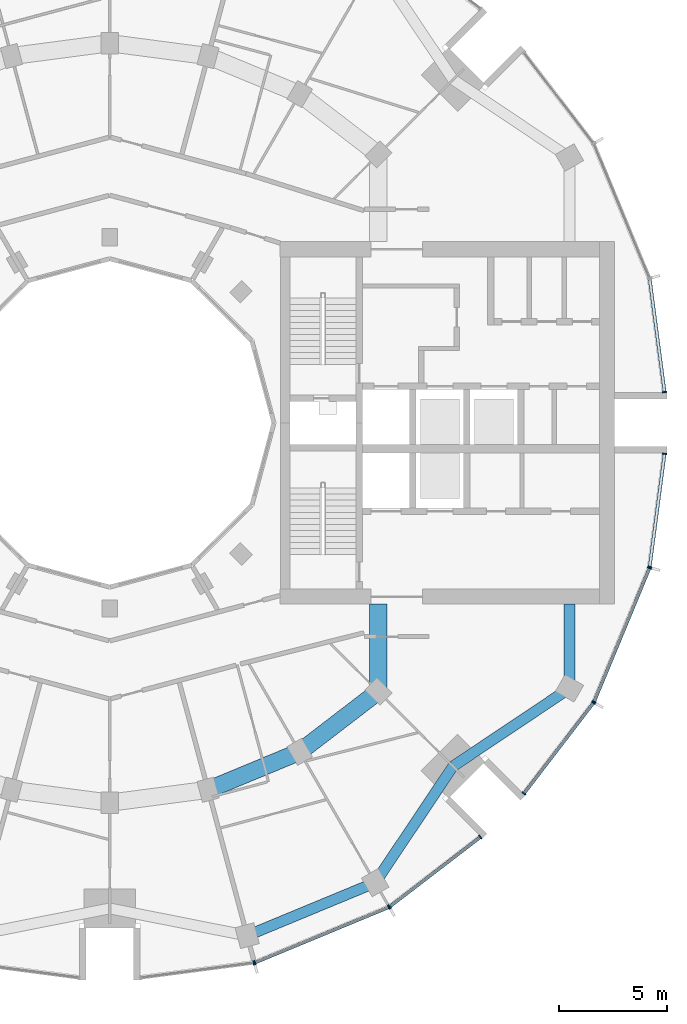
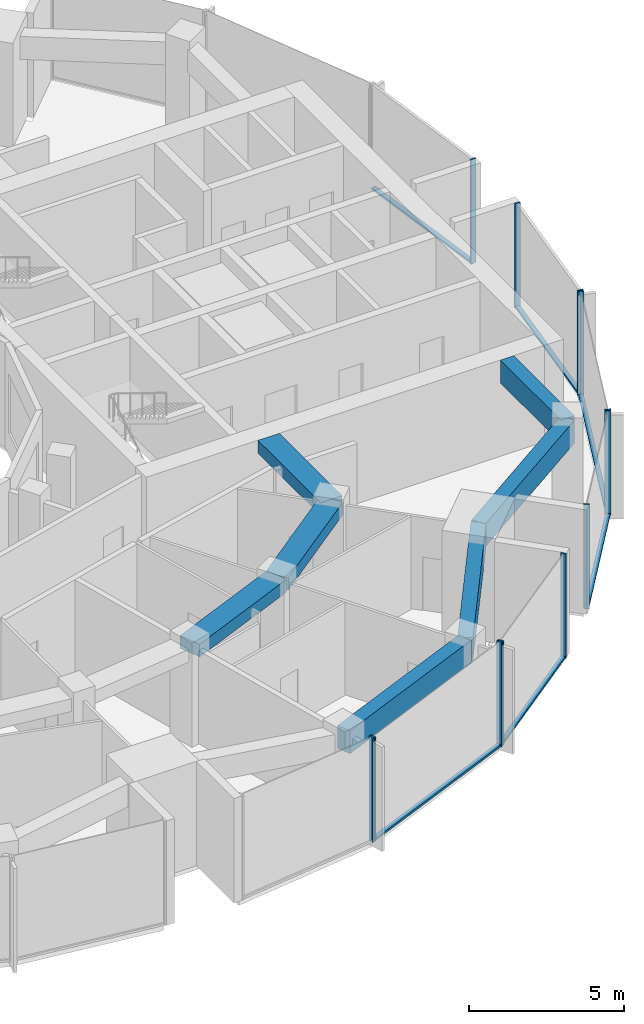
# One storey, part 4 of 15: 18 members, 7 beams, 7 elements without a shape of their own.
"""IFC4 building model written with IfcOpenShell, lengths in metres."""

from ifc_helpers import new_model, si_unit, direction, frame, origin, origin_2d, place, context, subcontext, project, spatial, rectangle, extrude, material, layer, layer_set, material_profile, profile_set, type_object, element, aggregate, save


model = new_model("IFC4")

# Units and contexts
model_context = context("Model", 3, precision=1e-05, world=origin(), true_north=direction((0.0, 1.0)))
body_context = subcontext(model_context, "Body", "Model", "MODEL_VIEW")
ifc_project = project(units=[si_unit("LENGTHUNIT", "METRE"), si_unit("AREAUNIT", "SQUARE_METRE"), si_unit("VOLUMEUNIT", "CUBIC_METRE"), si_unit("PLANEANGLEUNIT", "RADIAN"), si_unit("MASSUNIT", "GRAM", prefix="KILO")], contexts=[model_context])

# Site, building, storey
site_placement = place(None, origin())
site = spatial("IfcSite", under=ifc_project, at=site_placement, CompositionType="ELEMENT")
building_placement = place(site_placement, origin())
building = spatial("IfcBuilding", under=site, at=building_placement, Name="Torre Brocal", CompositionType="ELEMENT")
storey_placement = place(building_placement, frame((0.0, 0.0, 170.0)))
storey = spatial("IfcBuildingStorey", under=building, at=storey_placement, Name="L39", CompositionType="ELEMENT", Elevation=170.0)

# Curtain wall, member
ifc_material_1 = material(Name="Aluminium and glass", Category="aluminium")
ifc_layer_1 = layer(ifc_material_1, 0.199951171875)
ifc_layer_set_1 = layer_set([ifc_layer_1], Name="Aluminium and glass")
curtain_wall_type_1 = type_object("IfcCurtainWallType", Name="CW-1 CURTAIN WALL 4100 HIGH", PredefinedType="NOTDEFINED", material=ifc_layer_set_1)
curtain_wall_1_placement = place(storey_placement, origin())
curtain_wall_1 = element("IfcCurtainWall", 1, at=curtain_wall_1_placement, inside=storey, type_object=curtain_wall_type_1, Name="CW-1 RUN 19", PredefinedType="NOTDEFINED")
ifc_material_2 = material(Name="Aluminium, dark anodised", Category="aluminium")
ifc_material_profile_1 = material_profile(ifc_material_2, rectangle(XDim=0.199951171875, YDim=0.06005859375, at=origin_2d()), Name="CW-1 MULLION 60X200")
ifc_profile_set_1 = profile_set([ifc_material_profile_1], Name="Aluminium, dark anodised")
member_type_1 = type_object("IfcMemberType", Name="CW-1 MULLION 60X200", PredefinedType="MULLION", material=ifc_profile_set_1)
member_1_placement = place(storey_placement, frame((86.67333984375, 49.9794921875, 0.0), z_axis=(0.0, 0.0, 1.0), x_axis=(-0.13052619222, 0.991444861374, 0.0)))
member_1 = element("IfcMember", 2, at=member_1_placement, type_object=member_type_1, Name="CW1-4 mullion 2", PredefinedType="MULLION", context=body_context, shape_type="SweptSolid", body=[
    extrude(rectangle(XDim=0.199951171875, YDim=0.06005859375, at=origin_2d()), origin(), (0.0, 0.0, 1.0), 4.10009765625),
])
aggregate(curtain_wall_1, [member_1])

# Curtain wall, members
curtain_wall_2_placement = place(storey_placement, origin())
curtain_wall_2 = element("IfcCurtainWall", 3, at=curtain_wall_2_placement, inside=storey, type_object=curtain_wall_type_1, Name="CW-1 RUN 20", PredefinedType="NOTDEFINED")
member_2_placement = place(storey_placement, frame((86.73095703125, 49.994873046875, 0.0), z_axis=(0.0, 0.0, 1.0), x_axis=(-0.382683432333, 0.923879532525, 0.0)))
member_2 = element("IfcMember", 4, at=member_2_placement, type_object=member_type_1, Name="CW1-4 mullion 1", PredefinedType="MULLION", context=body_context, shape_type="SweptSolid", body=[
    extrude(rectangle(XDim=0.199951171875, YDim=0.06005859375, at=origin_2d()), origin(), (0.0, 0.0, 1.0), 4.10009765625),
])
member_3_placement = place(storey_placement, frame((92.921875, 52.559326171875, 0.0), z_axis=(0.0, 0.0, 1.0), x_axis=(-0.382683432333, 0.923879532525, 0.0)))
member_3 = element("IfcMember", 5, at=member_3_placement, type_object=member_type_1, Name="CW1-4 mullion 2", PredefinedType="MULLION", context=body_context, shape_type="SweptSolid", body=[
    extrude(rectangle(XDim=0.199951171875, YDim=0.06005859375, at=origin_2d()), origin(), (0.0, 0.0, 1.0), 4.10009765625),
])

curtain_wall_3_placement = place(storey_placement, origin())
curtain_wall_3 = element("IfcCurtainWall", 6, at=curtain_wall_3_placement, inside=storey, type_object=curtain_wall_type_1, Name="CW-1 RUN 21", PredefinedType="NOTDEFINED")
member_4_placement = place(storey_placement, frame((92.973388671875, 52.5888671875, 0.0), z_axis=(0.0, 0.0, 1.0), x_axis=(-0.60876142905, 0.793353340259, 0.0)))
member_4 = element("IfcMember", 7, at=member_4_placement, type_object=member_type_1, Name="CW1-4 mullion 1", PredefinedType="MULLION", context=body_context, shape_type="SweptSolid", body=[
    extrude(rectangle(XDim=0.199951171875, YDim=0.06005859375, at=origin_2d()), origin(), (0.0, 0.0, 1.0), 4.10009765625),
])
member_5_placement = place(storey_placement, frame((97.16943359375, 55.80859375, 0.0), z_axis=(0.0, 0.0, 1.0), x_axis=(-0.60876142905, 0.793353340259, 0.0)))
member_5 = element("IfcMember", 8, at=member_5_placement, type_object=member_type_1, Name="CW1-4 mullion 2", PredefinedType="MULLION", context=body_context, shape_type="SweptSolid", body=[
    extrude(rectangle(XDim=0.199951171875, YDim=0.06005859375, at=origin_2d()), origin(), (0.0, 0.0, 1.0), 4.10009765625),
])

curtain_wall_4_placement = place(storey_placement, origin())
curtain_wall_4 = element("IfcCurtainWall", 9, at=curtain_wall_4_placement, inside=storey, type_object=curtain_wall_type_1, Name="CW-1 RUN 22", PredefinedType="NOTDEFINED")
member_6_placement = place(storey_placement, frame((99.19140625, 57.83056640625, 0.0), z_axis=(0.0, 0.0, 1.0), x_axis=(-0.793353340259, 0.60876142905, 0.0)))
member_6 = element("IfcMember", 10, at=member_6_placement, type_object=member_type_1, Name="CW1-4 mullion 1", PredefinedType="MULLION", context=body_context, shape_type="SweptSolid", body=[
    extrude(rectangle(XDim=0.199951171875, YDim=0.06005859375, at=origin_2d()), origin(), (0.0, 0.0, 1.0), 4.10009765625),
])
member_7_placement = place(storey_placement, frame((102.4111328125, 62.026611328125, 0.0), z_axis=(0.0, 0.0, 1.0), x_axis=(-0.793353340259, 0.60876142905, 0.0)))
member_7 = element("IfcMember", 11, at=member_7_placement, type_object=member_type_1, Name="CW1-4 mullion 2", PredefinedType="MULLION", context=body_context, shape_type="SweptSolid", body=[
    extrude(rectangle(XDim=0.199951171875, YDim=0.06005859375, at=origin_2d()), origin(), (0.0, 0.0, 1.0), 4.10009765625),
])

curtain_wall_5_placement = place(storey_placement, origin())
curtain_wall_5 = element("IfcCurtainWall", 12, at=curtain_wall_5_placement, inside=storey, type_object=curtain_wall_type_1, Name="CW-1 RUN 23", PredefinedType="NOTDEFINED")
member_8_placement = place(storey_placement, frame((102.440673828125, 62.078125, 0.0), z_axis=(0.0, 0.0, 1.0), x_axis=(-0.923879532525, 0.382683432333, 0.0)))
member_8 = element("IfcMember", 13, at=member_8_placement, type_object=member_type_1, Name="CW1-4 mullion 1", PredefinedType="MULLION", context=body_context, shape_type="SweptSolid", body=[
    extrude(rectangle(XDim=0.199951171875, YDim=0.06005859375, at=origin_2d()), origin(), (0.0, 0.0, 1.0), 4.10009765625),
])
member_9_placement = place(storey_placement, frame((105.005126953125, 68.26904296875, 0.0), z_axis=(0.0, 0.0, 1.0), x_axis=(-0.923879532525, 0.382683432333, 0.0)))
member_9 = element("IfcMember", 14, at=member_9_placement, type_object=member_type_1, Name="CW1-4 mullion 2", PredefinedType="MULLION", context=body_context, shape_type="SweptSolid", body=[
    extrude(rectangle(XDim=0.199951171875, YDim=0.06005859375, at=origin_2d()), origin(), (0.0, 0.0, 1.0), 4.10009765625),
])

# Member
ifc_material_3 = material(Name="Aluminium, dark anodised", Category="aluminium")
ifc_material_profile_2 = material_profile(ifc_material_3, rectangle(XDim=0.159912109375, YDim=0.080078125, at=origin_2d()), Name="CW-1 TRANSOM 160X80")
ifc_profile_set_2 = profile_set([ifc_material_profile_2], Name="Aluminium, dark anodised")
member_type_2 = type_object("IfcMemberType", Name="CW-1 TRANSOM 160X80", PredefinedType="USERDEFINED", material=ifc_profile_set_2)
member_10_placement = place(storey_placement, frame((86.758544921875, 50.00634765625, 0.0400390625), z_axis=(0.923887344364, 0.38266457234, 0.0), x_axis=(-0.38266457234, 0.923887344364, 0.0)))
member_10 = element("IfcMember", 15, at=member_10_placement, type_object=member_type_2, Name="CW1-4 transom 1.1", ObjectType="TRANSOM", PredefinedType="USERDEFINED", context=body_context, shape_type="SweptSolid", body=[
    extrude(rectangle(XDim=0.159912109375, YDim=0.080078125, at=origin_2d()), origin(), (0.0, 0.0, 1.0), 6.640869140625),
])

aggregate(curtain_wall_2, [member_2, member_3, member_10])

member_11_placement = place(storey_placement, frame((92.9970703125, 52.607177734375, 0.0400390625), z_axis=(0.79336281513, 0.60874908096, 0.0), x_axis=(-0.60874908096, 0.79336281513, 0.0)))
member_11 = element("IfcMember", 16, at=member_11_placement, type_object=member_type_2, Name="CW1-4 transom 1.1", ObjectType="TRANSOM", PredefinedType="USERDEFINED", context=body_context, shape_type="SweptSolid", body=[
    extrude(rectangle(XDim=0.159912109375, YDim=0.080078125, at=origin_2d()), origin(), (0.0, 0.0, 1.0), 5.22900390625),
])

aggregate(curtain_wall_3, [member_4, member_5, member_11])

member_12_placement = place(storey_placement, frame((99.209716796875, 57.8544921875, 0.0400390625), z_axis=(0.60874908096, 0.79336281513, 0.0), x_axis=(-0.79336281513, 0.60874908096, 0.0)))
member_12 = element("IfcMember", 17, at=member_12_placement, type_object=member_type_2, Name="CW1-4 transom 1.1", ObjectType="TRANSOM", PredefinedType="USERDEFINED", context=body_context, shape_type="SweptSolid", body=[
    extrude(rectangle(XDim=0.159912109375, YDim=0.080078125, at=origin_2d()), origin(), (0.0, 0.0, 1.0), 5.22900390625),
])

aggregate(curtain_wall_4, [member_6, member_7, member_12])

member_13_placement = place(storey_placement, frame((102.452392578125, 62.10595703125, 0.0400390625), z_axis=(0.38266457234, 0.923887344364, 0.0), x_axis=(-0.923887344364, 0.38266457234, 0.0)))
member_13 = element("IfcMember", 18, at=member_13_placement, type_object=member_type_2, Name="CW1-4 transom 1.1", ObjectType="TRANSOM", PredefinedType="USERDEFINED", context=body_context, shape_type="SweptSolid", body=[
    extrude(rectangle(XDim=0.159912109375, YDim=0.080078125, at=origin_2d()), origin(), (0.0, 0.0, 1.0), 6.640869140625),
])

aggregate(curtain_wall_5, [member_8, member_9, member_13])

# Curtain wall, member
ifc_material_4 = material(Name="Aluminium and glass", Category="aluminium")
ifc_layer_2 = layer(ifc_material_4, 0.199951171875)
ifc_layer_set_2 = layer_set([ifc_layer_2], Name="Aluminium and glass")
curtain_wall_type_2 = type_object("IfcCurtainWallType", Name="CW-1B CURTAIN WALL 4100 HIGH", PredefinedType="NOTDEFINED", material=ifc_layer_set_2)
curtain_wall_6_placement = place(storey_placement, origin())
curtain_wall_6 = element("IfcCurtainWall", 19, at=curtain_wall_6_placement, inside=storey, type_object=curtain_wall_type_2, Name="CW-1B RUN 1", PredefinedType="NOTDEFINED")
ifc_material_5 = material(Name="Aluminium, dark anodised", Category="aluminium")
ifc_material_profile_3 = material_profile(ifc_material_5, rectangle(XDim=0.199951171875, YDim=0.06005859375, at=origin_2d()), Name="CW-1B MULLION 60X200")
ifc_profile_set_3 = profile_set([ifc_material_profile_3], Name="Aluminium, dark anodised")
member_type_3 = type_object("IfcMemberType", Name="CW-1B MULLION 60X200", PredefinedType="MULLION", material=ifc_profile_set_3)
member_14_placement = place(storey_placement, frame((105.7109375, 76.4296875, 0.0), z_axis=(0.0, 0.0, 1.0), x_axis=(-0.991444861374, -0.13052619222, 0.0)))
member_14 = element("IfcMember", 20, at=member_14_placement, type_object=member_type_3, Name="CW1B-4 mullion 1", PredefinedType="MULLION", context=body_context, shape_type="SweptSolid", body=[
    extrude(rectangle(XDim=0.199951171875, YDim=0.06005859375, at=origin_2d()), origin(), (0.0, 0.0, 1.0), 4.10009765625),
])

# Curtain wall, members
curtain_wall_7_placement = place(storey_placement, origin())
curtain_wall_7 = element("IfcCurtainWall", 21, at=curtain_wall_7_placement, inside=storey, type_object=curtain_wall_type_2, Name="CW-1B RUN 24", PredefinedType="NOTDEFINED")
member_15_placement = place(storey_placement, frame((105.0205078125, 68.32666015625, 0.0), z_axis=(0.0, 0.0, 1.0), x_axis=(-0.991444861374, 0.13052619222, 0.0)))
member_15 = element("IfcMember", 22, at=member_15_placement, type_object=member_type_3, Name="CW1B-4 mullion 1", PredefinedType="MULLION", context=body_context, shape_type="SweptSolid", body=[
    extrude(rectangle(XDim=0.199951171875, YDim=0.06005859375, at=origin_2d()), origin(), (0.0, 0.0, 1.0), 4.10009765625),
])
member_16_placement = place(storey_placement, frame((105.7109375, 73.5703125, 0.0), z_axis=(0.0, 0.0, 1.0), x_axis=(-0.991444861374, 0.13052619222, 0.0)))
member_16 = element("IfcMember", 23, at=member_16_placement, type_object=member_type_3, Name="CW1B-4 mullion 2", PredefinedType="MULLION", context=body_context, shape_type="SweptSolid", body=[
    extrude(rectangle(XDim=0.199951171875, YDim=0.06005859375, at=origin_2d()), origin(), (0.0, 0.0, 1.0), 4.10009765625),
])

# Member
ifc_material_6 = material(Name="Aluminium, dark anodised", Category="aluminium")
ifc_material_profile_4 = material_profile(ifc_material_6, rectangle(XDim=0.159912109375, YDim=0.080078125, at=origin_2d()), Name="CW-1B TRANSOM 160X80")
ifc_profile_set_4 = profile_set([ifc_material_profile_4], Name="Aluminium, dark anodised")
member_type_4 = type_object("IfcMemberType", Name="CW-1B TRANSOM 160X80", PredefinedType="USERDEFINED", material=ifc_profile_set_4)
member_17_placement = place(storey_placement, frame((105.70703125, 76.45947265625, 0.0400390625), z_axis=(-0.130542677827, 0.991442690863, 0.0), x_axis=(-0.991442690863, -0.130542677827, 0.0)))
member_17 = element("IfcMember", 24, at=member_17_placement, type_object=member_type_4, Name="CW1B-4 transom 1.1", ObjectType="TRANSOM", PredefinedType="USERDEFINED", context=body_context, shape_type="SweptSolid", body=[
    extrude(rectangle(XDim=0.159912109375, YDim=0.080078125, at=origin_2d()), origin(), (0.0, 0.0, 1.0), 5.22900390625),
])

aggregate(curtain_wall_6, [member_14, member_17])

member_18_placement = place(storey_placement, frame((105.0244140625, 68.356201171875, 0.0400390625), z_axis=(0.130542677827, 0.991442690863, 0.0), x_axis=(-0.991442690863, 0.130542677827, 0.0)))
member_18 = element("IfcMember", 25, at=member_18_placement, type_object=member_type_4, Name="CW1B-4 transom 1.1", ObjectType="TRANSOM", PredefinedType="USERDEFINED", context=body_context, shape_type="SweptSolid", body=[
    extrude(rectangle(XDim=0.159912109375, YDim=0.080078125, at=origin_2d()), origin(), (0.0, 0.0, 1.0), 5.22900390625),
])

aggregate(curtain_wall_7, [member_15, member_16, member_18])

# Beams
ifc_material_7 = material(Name="Concrete C50", Category="concrete")
ifc_material_profile_5 = material_profile(ifc_material_7, rectangle(XDim=0.800048828125, YDim=0.5, at=origin_2d()), Name="RC 800X500")
ifc_profile_set_5 = profile_set([ifc_material_profile_5], Name="Concrete C50")
beam_type_1 = type_object("IfcBeamType", Name="RC BEAM 800X500 C50 TOP 3780", PredefinedType="BEAM", material=ifc_profile_set_5)
beam_1_placement = place(storey_placement, frame((84.55517578125, 57.999755859375, 3.530029296875), z_axis=(0.923878240166, 0.382686552348, 0.0), x_axis=(-0.382686552348, 0.923878240166, 0.0)))
element("IfcBeam", 26, at=beam_1_placement, inside=storey, type_object=beam_type_1, Name="Beam BT-32", PredefinedType="BEAM", context=body_context, shape_type="SweptSolid", body=[
    extrude(rectangle(XDim=0.800048828125, YDim=0.5, at=origin_2d()), origin(), (0.0, 0.0, 1.0), 4.5947265625),
])
beam_2_placement = place(storey_placement, frame((88.800048828125, 59.758056640625, 3.530029296875), z_axis=(0.793358265959, 0.6087550097, 0.0), x_axis=(-0.6087550097, 0.793358265959, 0.0)))
element("IfcBeam", 27, at=beam_2_placement, inside=storey, type_object=beam_type_1, Name="Beam BT-32", PredefinedType="BEAM", context=body_context, shape_type="SweptSolid", body=[
    extrude(rectangle(XDim=0.800048828125, YDim=0.5, at=origin_2d()), origin(), (0.0, 0.0, 1.0), 4.594482421875),
])
beam_3_placement = place(storey_placement, frame((92.445068359375, 62.554931640625, 3.530029296875), z_axis=(0.0, 1.0, 0.0), x_axis=(-1.0, 0.0, 0.0)))
element("IfcBeam", 28, at=beam_3_placement, inside=storey, type_object=beam_type_1, Name="Beam BT-32", PredefinedType="BEAM", context=body_context, shape_type="SweptSolid", body=[
    extrude(rectangle(XDim=0.800048828125, YDim=0.5, at=origin_2d()), origin(), (0.0, 0.0, 1.0), 4.045166015625),
])
ifc_material_8 = material(Name="Concrete C50", Category="concrete")
ifc_material_profile_6 = material_profile(ifc_material_8, rectangle(XDim=0.5, YDim=0.89990234375, at=origin_2d()), Name="RC 500X900")
ifc_profile_set_6 = profile_set([ifc_material_profile_6], Name="Concrete C50")
beam_type_2 = type_object("IfcBeamType", Name="RC SPANDREL BEAM 500X900 C50 TOP 3780", PredefinedType="SPANDREL", material=ifc_profile_set_6)
beam_4_placement = place(storey_placement, frame((86.366943359375, 51.23828125, 3.330078125), z_axis=(0.923882462513, 0.382676358639, 0.0), x_axis=(-0.382676358639, 0.923882462513, 0.0)))
element("IfcBeam", 29, at=beam_4_placement, inside=storey, type_object=beam_type_2, Name="Beam BT-33", PredefinedType="SPANDREL", context=body_context, shape_type="SweptSolid", body=[
    extrude(rectangle(XDim=0.5, YDim=0.89990234375, at=origin_2d()), origin(), (0.0, 0.0, 1.0), 6.421875),
])
for number, where, z_axis, x_axis, name in (
    (30, (92.300048828125, 53.69580078125, 3.330078125), (0.556157602282, 0.831076844476, 0.0), (-0.831076844476, 0.556157602282, 0.0), "Beam BT-33"),
    (31, (95.909912109375, 59.090087890625, 3.330078125), (0.831076844476, 0.556157602282, 0.0), (-0.556157602282, 0.831076844476, 0.0), "Beam BT-33"),
):
    element("IfcBeam", number, at=place(storey_placement, frame(where, z_axis=z_axis, x_axis=x_axis)), inside=storey, type_object=beam_type_2, Name=name, PredefinedType="SPANDREL", context=body_context, shape_type="SweptSolid", body=[
        extrude(rectangle(XDim=0.5, YDim=0.89990234375, at=origin_2d()), origin(), (0.0, 0.0, 1.0), 6.49072265625),
    ])
beam_5_placement = place(storey_placement, frame((101.30419921875, 62.699951171875, 3.330078125), z_axis=(0.0, 1.0, 0.0), x_axis=(-1.0, 0.0, 0.0)))
element("IfcBeam", 32, at=beam_5_placement, inside=storey, type_object=beam_type_2, Name="Beam BT-33", PredefinedType="SPANDREL", context=body_context, shape_type="SweptSolid", body=[
    extrude(rectangle(XDim=0.5, YDim=0.89990234375, at=origin_2d()), origin(), (0.0, 0.0, 1.0), 3.900146484375),
])

save(model, "model.ifc")
